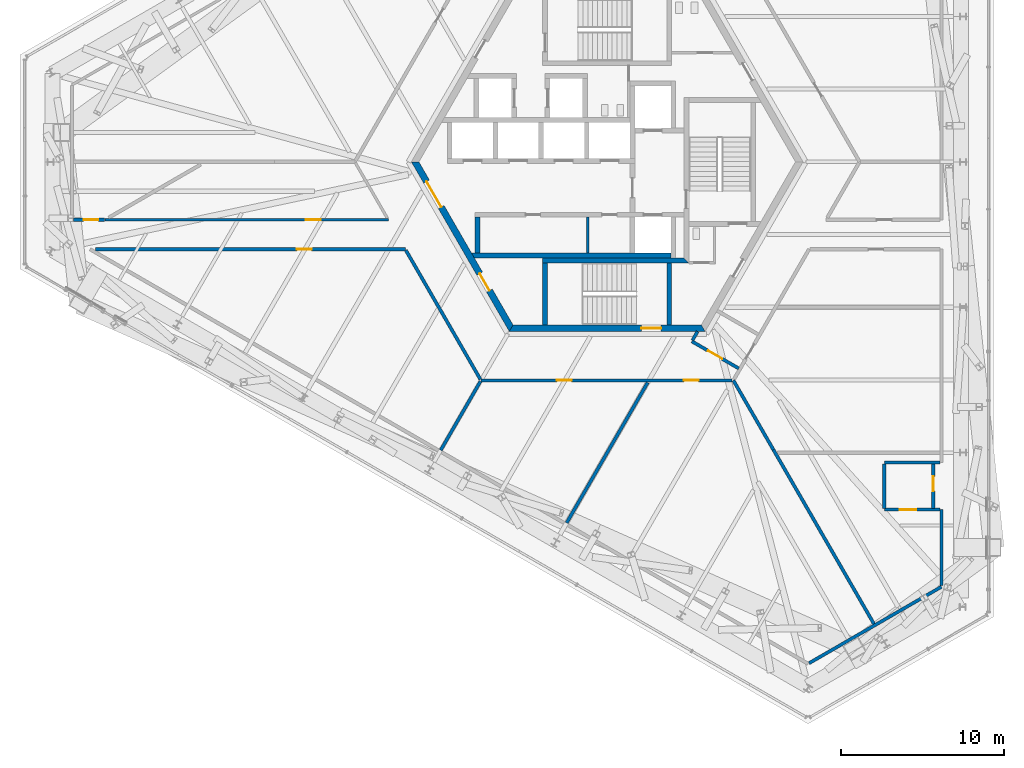
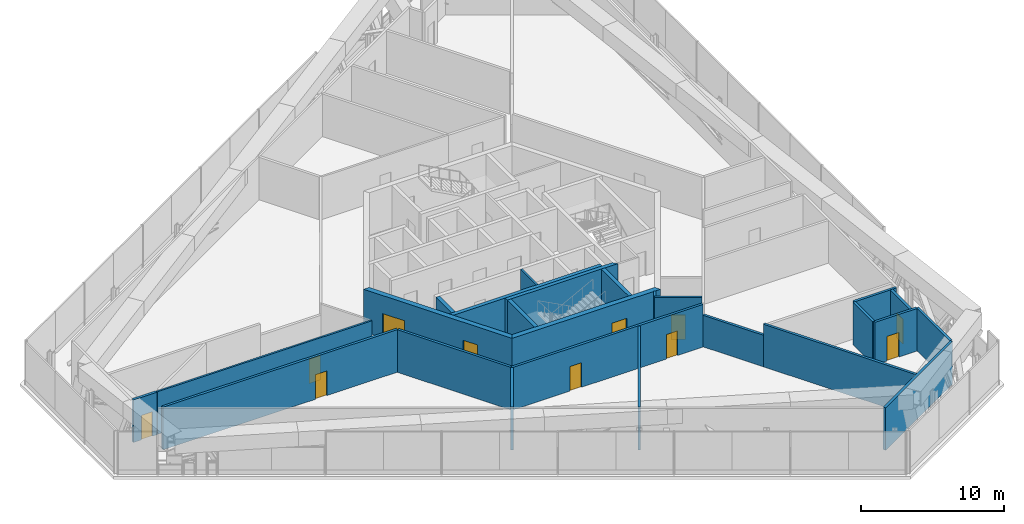
# One storey, part 14 of 23: 25 walls, 11 doors, 11 openings.
"""IFC4 building model written with IfcOpenShell, lengths in metres."""

from ifc_helpers import new_model, si_unit, direction, frame, frame_2d, origin, place, context, subcontext, project, spatial, polyline, rectangle, outline, extrude, source, transform, mapped, material, layer, layer_set, type_object, element, fill, save


model = new_model("IFC4")

# Units and contexts
model_context = context("Model", 3, precision=1e-05, world=origin(), true_north=direction((0.0, 1.0)))
body_context = subcontext(model_context, "Body", "Model", "MODEL_VIEW")
ifc_project = project(units=[si_unit("LENGTHUNIT", "METRE"), si_unit("AREAUNIT", "SQUARE_METRE"), si_unit("VOLUMEUNIT", "CUBIC_METRE"), si_unit("PLANEANGLEUNIT", "RADIAN"), si_unit("MASSUNIT", "GRAM", prefix="KILO")], contexts=[model_context])

# Site, building, storey
site_placement = place(None, origin())
site = spatial("IfcSite", under=ifc_project, at=site_placement, CompositionType="ELEMENT")
building_placement = place(site_placement, origin())
building = spatial("IfcBuilding", under=site, at=building_placement, Name="Triune Harvest Tower", CompositionType="ELEMENT")
storey_placement = place(building_placement, frame((0.0, 0.0, 54.699951171875)))
storey = spatial("IfcBuildingStorey", under=building, at=storey_placement, Name="L12", CompositionType="ELEMENT", Elevation=54.699951171875)

# Wall
ifc_material_1 = material(Name="Concrete masonry unit", Category="masonry")
ifc_layer_1 = layer(ifc_material_1, 0.14990234375)
ifc_layer_set_1 = layer_set([ifc_layer_1], Name="Concrete masonry unit")
wall_type_1 = type_object("IfcWallType", Name="Block partition 150", PredefinedType="PARTITIONING", material=ifc_layer_set_1)
wall_1_placement = place(storey_placement, frame((-1.199951171875, -5.590087890625, 0.0), z_axis=(0.0, 0.0, 1.0), x_axis=(0.0, 1.0, 0.0)))
element("IfcWall", 1, at=wall_1_placement, inside=storey, type_object=wall_type_1, Name="Row s part 1 wall", PredefinedType="PARTITIONING", context=body_context, shape_type="SweptSolid", body=[
    extrude(rectangle(XDim=2.2001953125, YDim=0.14990234375, at=frame_2d((1.10009765625, 0.0))), origin(), (0.0, 0.0, 1.0), 3.64013671875),
])

# Wall, opening, door
ifc_material_2 = material(Name="Gypsum board on steel studs", Category="steel")
ifc_layer_2 = layer(ifc_material_2, 0.14990234375)
ifc_layer_set_2 = layer_set([ifc_layer_2], Name="Gypsum board on steel studs")
wall_type_2 = type_object("IfcWallType", Name="Fire Partition 150 mm", PredefinedType="PARTITIONING", material=ifc_layer_set_2)
wall_2_placement = place(storey_placement, frame((-30.769775390625, -3.554931640625, 0.0), z_axis=(0.0, 0.0, 1.0), x_axis=(1.0, 0.0, 0.0)))
wall_2 = element("IfcWall", 2, at=wall_2_placement, inside=storey, type_object=wall_type_2, Name="Partition L12 023", PredefinedType="PARTITIONING", context=body_context, shape_type="SweptSolid", body=[
    extrude(rectangle(XDim=17.358154296875, YDim=0.14990234375, at=frame_2d((8.67919921875, 0.0))), origin(), (0.0, 0.0, 1.0), 3.64013671875),
])
opening_1_placement = place(wall_2_placement, frame((12.30810546875, 0.0, 0.0)))
opening_1 = element("IfcOpeningElement", 3, at=opening_1_placement, cuts=wall_2, Name="Opening L12-012", PredefinedType="OPENING", context=body_context, shape_type="SweptSolid", body=[
    extrude(rectangle(XDim=0.89990234375, YDim=2.10009765625, at=frame_2d((0.449951171875, 1.050048828125))), frame((0.0, 0.0849609375, 0.0), z_axis=(0.0, -1.0, 0.0), x_axis=(1.0, 0.0, 0.0)), (0.0, 0.0, 1.0), 0.169921875),
])
ifc_material_3 = material(Name="Timber and steel door set", Category="steel")
door_type_1 = type_object("IfcDoorType", Name="Single leaf door FD30 right hand 900 x 2100", OperationType="SINGLE_SWING_RIGHT", PredefinedType="DOOR", material=ifc_material_3)
door_1_placement = place(opening_1_placement, origin())
door_1 = element("IfcDoor", 4, at=door_1_placement, inside=storey, type_object=door_type_1, Name="Door L12-012 Dry Store Room 12.12", OperationType="SINGLE_SWING_RIGHT", OverallHeight=2.10009765625, OverallWidth=0.89990234375, PredefinedType="DOOR", context=body_context, shape_type="SweptSolid", body=[
    extrude(rectangle(XDim=0.89990234375, YDim=2.10009765625, at=frame_2d((0.449951171875, 1.050048828125))), frame((0.0, 0.02490234375, 0.0), z_axis=(0.0, -1.0, 0.0), x_axis=(1.0, 0.0, 0.0)), (0.0, 0.0, 1.0), 0.050048828125),
])
fill(opening_1, door_1)

# Walls
ifc_material_4 = material(Name="Gypsum board on steel studs", Category="steel")
ifc_layer_3 = layer(ifc_material_4, 0.199951171875)
ifc_layer_set_3 = layer_set([ifc_layer_3], Name="Gypsum board on steel studs")
wall_type_3 = type_object("IfcWallType", Name="Fire Wall 200 mm", PredefinedType="PARTITIONING", material=ifc_layer_set_3)
wall_3_placement = place(storey_placement, frame((-12.33740234375, -5.41552734375, 0.0), z_axis=(0.0, 0.0, 1.0), x_axis=(0.499988331988, -0.866032140209, 0.0)))
element("IfcWall", 5, at=wall_3_placement, inside=storey, type_object=wall_type_3, Name="Partition L12 002", PredefinedType="PARTITIONING", context=body_context, shape_type="SweptSolid", body=[
    extrude(rectangle(XDim=9.140869140625, YDim=0.199951171875, at=frame_2d((4.5703125, 0.0))), origin(), (0.0, 0.0, 1.0), 3.64013671875),
])
wall_4_placement = place(storey_placement, frame((7.732421875, -13.39208984375, 0.0), z_axis=(0.0, 0.0, 1.0), x_axis=(0.499999703803, -0.866025574794, 0.0)))
element("IfcWall", 6, at=wall_4_placement, inside=storey, type_object=wall_type_3, Name="Partition L12 004", PredefinedType="PARTITIONING", context=body_context, shape_type="SweptSolid", body=[
    extrude(rectangle(XDim=4.90380859375, YDim=0.199951171875, at=frame_2d((2.451904296875, 0.0))), origin(), (0.0, 0.0, 1.0), 2.69775390625),
])
wall_5_placement = place(storey_placement, frame((10.184326171875, -17.638916015625, 0.0), z_axis=(0.0, 0.0, 1.0), x_axis=(0.500007119777, -0.86602129314, 0.0)))
element("IfcWall", 7, at=wall_5_placement, inside=storey, type_object=wall_type_3, Name="Partition L12 004a", PredefinedType="PARTITIONING", context=body_context, shape_type="SweptSolid", body=[
    extrude(rectangle(XDim=12.422607421875, YDim=0.199951171875, at=frame_2d((6.21142578125, 0.0))), origin(), (0.0, 0.0, 1.0), 3.64013671875),
])

# Wall, opening, door
wall_6_placement = place(storey_placement, frame((-31.357421875, -5.35498046875, 0.0), z_axis=(0.0, 0.0, 1.0), x_axis=(1.0, 0.0, 0.0)))
wall_6 = element("IfcWall", 8, at=wall_6_placement, inside=storey, type_object=wall_type_3, Name="Partition L12 020", PredefinedType="PARTITIONING", context=body_context, shape_type="SweptSolid", body=[
    extrude(rectangle(XDim=18.985107421875, YDim=0.199951171875, at=frame_2d((9.49267578125, 0.0))), origin(), (0.0, 0.0, 1.0), 3.64013671875),
])
opening_2_placement = place(wall_6_placement, frame((12.339111328125, 0.0, 0.0)))
opening_2 = element("IfcOpeningElement", 9, at=opening_2_placement, cuts=wall_6, Name="Opening L12-013", PredefinedType="OPENING", context=body_context, shape_type="SweptSolid", body=[
    extrude(rectangle(XDim=0.89990234375, YDim=2.10009765625, at=frame_2d((0.449951171875, 1.050048828125))), frame((0.0, 0.10986328125, 0.0), z_axis=(0.0, -1.0, 0.0), x_axis=(1.0, 0.0, 0.0)), (0.0, 0.0, 1.0), 0.219970703125),
])
ifc_material_5 = material(Name="Timber and steel door set", Category="steel")
door_type_2 = type_object("IfcDoorType", Name="Single leaf door FD60 left hand 900 x 2100", OperationType="SINGLE_SWING_LEFT", PredefinedType="DOOR", material=ifc_material_5)
door_2_placement = place(opening_2_placement, origin())
door_2 = element("IfcDoor", 10, at=door_2_placement, inside=storey, type_object=door_type_2, Name="Door L12-013 Air Handling Plant Room 12.13", OperationType="SINGLE_SWING_LEFT", OverallHeight=2.10009765625, OverallWidth=0.89990234375, PredefinedType="DOOR", context=body_context, shape_type="SweptSolid", body=[
    extrude(rectangle(XDim=0.89990234375, YDim=2.10009765625, at=frame_2d((0.449951171875, 1.050048828125))), frame((0.0, 0.02490234375, 0.0), z_axis=(0.0, -1.0, 0.0), x_axis=(1.0, 0.0, 0.0)), (0.0, 0.0, 1.0), 0.050048828125),
])
fill(opening_2, door_2)

wall_7_placement = place(storey_placement, frame((-32.71044921875, -3.554931640625, 0.0), z_axis=(0.0, 0.0, 1.0), x_axis=(1.0, 0.0, 0.0)))
wall_7 = element("IfcWall", 11, at=wall_7_placement, inside=storey, type_object=wall_type_3, Name="Partition L12 022", PredefinedType="PARTITIONING", context=body_context, shape_type="SweptSolid", body=[
    extrude(rectangle(XDim=1.900634765625, YDim=0.199951171875, at=frame_2d((0.9501953125, 0.0))), origin(), (0.0, 0.0, 1.0), 3.64013671875),
])
opening_3_placement = place(wall_7_placement, frame((0.634765625, 0.0, 0.0)))
opening_3 = element("IfcOpeningElement", 12, at=opening_3_placement, cuts=wall_7, Name="Opening L12-011", PredefinedType="OPENING", context=body_context, shape_type="SweptSolid", body=[
    extrude(rectangle(XDim=0.89990234375, YDim=2.10009765625, at=frame_2d((0.449951171875, 1.050048828125))), frame((0.0, 0.10986328125, 0.0), z_axis=(0.0, -1.0, 0.0), x_axis=(1.0, 0.0, 0.0)), (0.0, 0.0, 1.0), 0.219970703125),
])
ifc_material_6 = material(Name="Timber and steel door set", Category="steel")
door_type_3 = type_object("IfcDoorType", Name="Single leaf door FD60 right hand 900 x 2100", OperationType="SINGLE_SWING_RIGHT", PredefinedType="DOOR", material=ifc_material_6)
door_3_placement = place(opening_3_placement, origin())
door_3 = element("IfcDoor", 13, at=door_3_placement, inside=storey, type_object=door_type_3, Name="Door L12-011 Electrical Plant Room 12.11", OperationType="SINGLE_SWING_RIGHT", OverallHeight=2.10009765625, OverallWidth=0.89990234375, PredefinedType="DOOR", context=body_context, shape_type="SweptSolid", body=[
    extrude(rectangle(XDim=0.89990234375, YDim=2.10009765625, at=frame_2d((0.449951171875, 1.050048828125))), frame((0.0, 0.02490234375, 0.0), z_axis=(0.0, -1.0, 0.0), x_axis=(1.0, 0.0, 0.0)), (0.0, 0.0, 1.0), 0.050048828125),
])
fill(opening_3, door_3)

# Walls
wall_8_placement = place(storey_placement, frame((12.369873046875, -30.721435546875, 0.0), z_axis=(0.0, 0.0, 1.0), x_axis=(0.866024109654, 0.500002241493, 0.0)))
element("IfcWall", 14, at=wall_8_placement, inside=storey, type_object=wall_type_3, Name="Partition L12 029", PredefinedType="PARTITIONING", context=body_context, shape_type="SweptSolid", body=[
    extrude(rectangle(XDim=9.3662109375, YDim=0.199951171875, at=frame_2d((4.68310546875, 0.0))), origin(), (0.0, 0.0, 1.0), 3.64013671875),
])
wall_9_placement = place(storey_placement, frame((-2.484375, -22.123046875, 0.0), z_axis=(0.0, 0.0, 1.0), x_axis=(0.499991285958, 0.866030434781, 0.0)))
element("IfcWall", 15, at=wall_9_placement, inside=storey, type_object=wall_type_3, Name="Partition L12 039", PredefinedType="PARTITIONING", context=body_context, shape_type="SweptSolid", body=[
    extrude(rectangle(XDim=9.931396484375, YDim=0.199951171875, at=frame_2d((4.9658203125, 0.0))), origin(), (0.0, 0.0, 1.0), 3.64013671875),
])
wall_10_placement = place(storey_placement, frame((-10.200439453125, -17.668212890625, 0.0), z_axis=(0.0, 0.0, 1.0), x_axis=(0.499980071345, 0.866036909293, 0.0)))
element("IfcWall", 16, at=wall_10_placement, inside=storey, type_object=wall_type_3, Name="Partition L12 040", PredefinedType="PARTITIONING", context=body_context, shape_type="SweptSolid", body=[
    extrude(rectangle(XDim=4.867431640625, YDim=0.199951171875, at=frame_2d((2.43359375, 0.0))), origin(), (0.0, 0.0, 1.0), 3.64013671875),
])
wall_11_placement = place(storey_placement, frame((20.4814453125, -25.96826171875, 0.0), z_axis=(0.0, 0.0, 1.0), x_axis=(0.0, 1.0, 0.0)))
element("IfcWall", 17, at=wall_11_placement, inside=storey, type_object=wall_type_3, Name="Partition L12 043", PredefinedType="PARTITIONING", context=body_context, shape_type="SweptSolid", body=[
    extrude(rectangle(XDim=4.658203125, YDim=0.199951171875, at=frame_2d((2.3291015625, 0.0))), origin(), (0.0, 0.0, 1.0), 3.64013671875),
])

# Wall, openings, doors
ifc_material_7 = material(Name="Concrete 70 MPa", Category="concrete")
ifc_layer_4 = layer(ifc_material_7, 0.39990234375)
ifc_layer_set_4 = layer_set([ifc_layer_4], Name="Concrete 70 MPa")
wall_type_4 = type_object("IfcWallType", Name="Core wall 400", PredefinedType="SHEAR", material=ifc_layer_set_4)
shared_shape_1 = source(origin(), body_context, "Body", "SweptSolid", [
    extrude(outline(polyline([(-0.115478515625, -0.199951171875), (11.884521484375, -0.199951171875), (11.653564453125, 0.199951171875), (0.115478515625, 0.199951171875), (-0.115478515625, -0.199951171875)])), origin(), (0.0, 0.0, 1.0), 3.64013671875),
])
wall_12_placement = place(storey_placement, frame((-11.76904296875, 0.0, 0.0), z_axis=(0.0, 0.0, 1.0), x_axis=(0.499996592174, -0.866027371285, 0.0)))
wall_12 = element("IfcWall", 18, at=wall_12_placement, inside=storey, type_object=wall_type_4, Name="Hexagon 3 wall", PredefinedType="SHEAR", context=body_context, shape_type="MappedRepresentation", body=[
    mapped(shared_shape_1, transform((0.0, 0.0, 0.0), scale=1.0)),
])
opening_4_placement = place(wall_12_placement, frame((1.404541015625, 0.0, 0.0)))
opening_4 = element("IfcOpeningElement", 19, at=opening_4_placement, cuts=wall_12, Name="Opening CD-LS", PredefinedType="OPENING", context=body_context, shape_type="SweptSolid", body=[
    extrude(rectangle(XDim=1.800048828125, YDim=2.10009765625, at=frame_2d((0.89990234375, 1.050048828125))), frame((0.0, 0.2099609375, 0.0), z_axis=(0.0, -1.0, 0.0), x_axis=(1.0, 0.0, 0.0)), (0.0, 0.0, 1.0), 0.419921875),
])
opening_5_placement = place(wall_12_placement, frame((7.91455078125, 0.0, 0.0)))
opening_5 = element("IfcOpeningElement", 20, at=opening_5_placement, cuts=wall_12, Name="Opening CD-SWP", PredefinedType="OPENING", context=body_context, shape_type="SweptSolid", body=[
    extrude(rectangle(XDim=1.199951171875, YDim=2.10009765625, at=frame_2d((0.60009765625, 1.050048828125))), frame((0.0, 0.2099609375, 0.0), z_axis=(0.0, -1.0, 0.0), x_axis=(1.0, 0.0, 0.0)), (0.0, 0.0, 1.0), 0.419921875),
])
ifc_material_8 = material(Name="Steel S235", Category="steel")
door_type_4 = type_object("IfcDoorType", Name="Lobby door 1800 FD120", OperationType="DOUBLE_DOOR_DOUBLE_SWING", PredefinedType="DOOR", material=ifc_material_8)
door_4_placement = place(opening_4_placement, frame((1.800048828125, 0.0, 0.0), z_axis=(0.0, 0.0, 1.0), x_axis=(-1.0, 0.0, 0.0)))
door_4 = element("IfcDoor", 21, at=door_4_placement, inside=storey, type_object=door_type_4, Name="Door CD-LS", OperationType="DOUBLE_DOOR_DOUBLE_SWING", OverallHeight=2.10009765625, OverallWidth=1.800048828125, PredefinedType="DOOR", context=body_context, shape_type="SweptSolid", body=[
    extrude(rectangle(XDim=1.800048828125, YDim=2.10009765625, at=frame_2d((0.89990234375, 1.050048828125))), frame((0.0, 0.02490234375, 0.0), z_axis=(0.0, -1.0, 0.0), x_axis=(1.0, 0.0, 0.0)), (0.0, 0.0, 1.0), 0.050048828125),
])
fill(opening_4, door_4)
ifc_material_9 = material(Name="Steel S235", Category="steel")
door_type_5 = type_object("IfcDoorType", Name="Service door 1200 FD120", OperationType="SINGLE_SWING_LEFT", PredefinedType="DOOR", material=ifc_material_9)
door_5_placement = place(opening_5_placement, frame((1.199951171875, 0.0, 0.0), z_axis=(0.0, 0.0, 1.0), x_axis=(-1.0, 0.0, 0.0)))
door_5 = element("IfcDoor", 22, at=door_5_placement, inside=storey, type_object=door_type_5, Name="Door CD-SWP", OperationType="SINGLE_SWING_RIGHT", OverallHeight=2.10009765625, OverallWidth=1.199951171875, PredefinedType="DOOR", context=body_context, shape_type="SweptSolid", body=[
    extrude(rectangle(XDim=1.199951171875, YDim=2.10009765625, at=frame_2d((0.60009765625, 1.050048828125))), frame((0.0, 0.02490234375, 0.0), z_axis=(0.0, -1.0, 0.0), x_axis=(1.0, 0.0, 0.0)), (0.0, 0.0, 1.0), 0.050048828125),
])
fill(opening_5, door_5)

# Wall, opening, door
wall_13_placement = place(storey_placement, frame((-5.884521484375, -10.1923828125, 0.0), z_axis=(0.0, 0.0, 1.0), x_axis=(1.0, 0.0, 0.0)))
wall_13 = element("IfcWall", 23, at=wall_13_placement, inside=storey, type_object=wall_type_4, Name="Hexagon 4 wall", PredefinedType="SHEAR", context=body_context, shape_type="MappedRepresentation", body=[
    mapped(shared_shape_1, transform((0.0, 0.0, 0.0), scale=1.0)),
])
opening_6_placement = place(wall_13_placement, frame((7.984619140625, 0.0, 0.0)))
opening_6 = element("IfcOpeningElement", 24, at=opening_6_placement, cuts=wall_13, Name="Opening CD-S2P", PredefinedType="OPENING", context=body_context, shape_type="SweptSolid", body=[
    extrude(rectangle(XDim=1.199951171875, YDim=2.10009765625, at=frame_2d((0.60009765625, 1.050048828125))), frame((0.0, 0.2099609375, 0.0), z_axis=(0.0, -1.0, 0.0), x_axis=(1.0, 0.0, 0.0)), (0.0, 0.0, 1.0), 0.419921875),
])
ifc_material_10 = material(Name="Steel S235", Category="steel")
door_type_6 = type_object("IfcDoorType", Name="Stair door 1200 FD120", OperationType="SINGLE_SWING_LEFT", PredefinedType="DOOR", material=ifc_material_10)
door_6_placement = place(opening_6_placement, frame((1.199951171875, 0.0, 0.0), z_axis=(0.0, 0.0, 1.0), x_axis=(-1.0, 0.0, 0.0)))
door_6 = element("IfcDoor", 25, at=door_6_placement, inside=storey, type_object=door_type_6, Name="Door CD-S2P", OperationType="SINGLE_SWING_RIGHT", OverallHeight=2.10009765625, OverallWidth=1.199951171875, PredefinedType="DOOR", context=body_context, shape_type="SweptSolid", body=[
    extrude(rectangle(XDim=1.199951171875, YDim=2.10009765625, at=frame_2d((0.60009765625, 1.050048828125))), frame((0.0, 0.02490234375, 0.0), z_axis=(0.0, -1.0, 0.0), x_axis=(1.0, 0.0, 0.0)), (0.0, 0.0, 1.0), 0.050048828125),
])
fill(opening_6, door_6)

# Walls
ifc_material_11 = material(Name="Concrete 70 MPa", Category="concrete")
ifc_layer_5 = layer(ifc_material_11, 0.300048828125)
ifc_layer_set_5 = layer_set([ifc_layer_5], Name="Concrete 70 MPa")
wall_type_5 = type_object("IfcWallType", Name="Core wall 300", PredefinedType="SHEAR", material=ifc_layer_set_5)
shared_shape_2 = source(origin(), body_context, "Body", "SweptSolid", [
    extrude(outline(polyline([(12.0, -0.14990234375), (-0.039794921875, -0.14990234375), (-0.212890625, 0.14990234375), (12.0, 0.14990234375), (12.0, -0.14990234375)])), origin(), (0.0, 0.0, 1.0), 3.64013671875),
])
wall_14_placement = place(storey_placement, frame((-8.10009765625, -5.739990234375, 0.0), z_axis=(0.0, 0.0, 1.0), x_axis=(1.0, 0.0, 0.0)))
element("IfcWall", 26, at=wall_14_placement, inside=storey, type_object=wall_type_5, Name="South back wall", PredefinedType="SHEAR", context=body_context, shape_type="MappedRepresentation", body=[
    mapped(shared_shape_2, transform((0.0, 0.0, 0.0), scale=1.0)),
])
shared_shape_3 = source(origin(), body_context, "Body", "SweptSolid", [
    extrude(rectangle(XDim=2.2001953125, YDim=0.300048828125, at=frame_2d((1.10009765625, 0.0))), origin(), (0.0, 0.0, 1.0), 3.64013671875),
])
wall_15_placement = place(storey_placement, frame((-7.949951171875, -5.590087890625, 0.0), z_axis=(0.0, 0.0, 1.0), x_axis=(0.0, 1.0, 0.0)))
element("IfcWall", 27, at=wall_15_placement, inside=storey, type_object=wall_type_5, Name="South end west wall", PredefinedType="SHEAR", context=body_context, shape_type="MappedRepresentation", body=[
    mapped(shared_shape_3, transform((0.0, 0.0, 0.0), scale=1.0)),
])
shared_shape_4 = source(origin(), body_context, "Body", "SweptSolid", [
    extrude(outline(polyline([(0.0, -0.14990234375), (8.949951171875, -0.14990234375), (8.64990234375, 0.14990234375), (0.0, 0.14990234375), (0.0, -0.14990234375)])), origin(), (0.0, 0.0, 1.0), 3.64013671875),
])
wall_16_placement = place(storey_placement, frame((-3.949951171875, -6.0400390625, 0.0), z_axis=(0.0, 0.0, 1.0), x_axis=(1.0, 0.0, 0.0)))
element("IfcWall", 28, at=wall_16_placement, inside=storey, type_object=wall_type_5, Name="Stair s north wall", PredefinedType="SHEAR", context=body_context, shape_type="MappedRepresentation", body=[
    mapped(shared_shape_4, transform((0.0, 0.0, 0.0), scale=1.0)),
])
shared_shape_5 = source(origin(), body_context, "Body", "SweptSolid", [
    extrude(outline(polyline([(3.800048828125, -0.14990234375), (-0.00439453125, -0.14990234375), (-0.00439453125, 0.14990234375), (3.800048828125, 0.14990234375), (3.800048828125, -0.14990234375)])), origin(), (0.0, 0.0, 1.0), 3.64013671875),
])
for number, where, z_axis, x_axis, name in (
    (29, (-3.800048828125, -9.989990234375, 0.0), (0.0, 0.0, 1.0), (0.0, 1.0, 0.0), "Stair s west wall"),
    (30, (3.800048828125, -9.989990234375, 0.0), (0.0, 0.0, 1.0), (0.0, 1.0, 0.0), "Stair s east wall"),
):
    element("IfcWall", number, at=place(storey_placement, frame(where, z_axis=z_axis, x_axis=x_axis)), inside=storey, type_object=wall_type_5, Name=name, PredefinedType="SHEAR", context=body_context, shape_type="MappedRepresentation", body=[
        mapped(shared_shape_5, transform((0.0, 0.0, 0.0), scale=1.0)),
    ])

# Wall, openings, doors
shared_shape_6 = source(origin(), body_context, "Body", "SweptSolid", [
    extrude(rectangle(XDim=15.394287109375, YDim=0.199951171875, at=frame_2d((7.697265625, 0.0))), origin(), (0.0, 0.0, 1.0), 3.64013671875),
])
wall_17_placement = place(storey_placement, frame((-7.732177734375, -13.392333984375, 0.0), z_axis=(0.0, 0.0, 1.0), x_axis=(1.0, 0.0, 0.0)))
wall_17 = element("IfcWall", 31, at=wall_17_placement, inside=storey, type_object=wall_type_3, Name="Partition L12 018", PredefinedType="PARTITIONING", context=body_context, shape_type="MappedRepresentation", body=[
    mapped(shared_shape_6, transform((0.0, 0.0, 0.0), scale=1.0)),
])
opening_7_placement = place(wall_17_placement, frame((4.650146484375, 0.0, 0.0)))
opening_7 = element("IfcOpeningElement", 32, at=opening_7_placement, cuts=wall_17, Name="Opening L12-014", PredefinedType="OPENING", context=body_context, shape_type="SweptSolid", body=[
    extrude(rectangle(XDim=0.89990234375, YDim=2.10009765625, at=frame_2d((0.449951171875, 1.050048828125))), frame((0.0, 0.10986328125, 0.0), z_axis=(0.0, -1.0, 0.0), x_axis=(1.0, 0.0, 0.0)), (0.0, 0.0, 1.0), 0.219970703125),
])
opening_8_placement = place(wall_17_placement, frame((12.4384765625, 0.0, 0.0)))
opening_8 = element("IfcOpeningElement", 33, at=opening_8_placement, cuts=wall_17, Name="Opening L12-015", PredefinedType="OPENING", context=body_context, shape_type="SweptSolid", body=[
    extrude(rectangle(XDim=0.89990234375, YDim=2.10009765625, at=frame_2d((0.449951171875, 1.050048828125))), frame((0.0, 0.10986328125, 0.0), z_axis=(0.0, -1.0, 0.0), x_axis=(1.0, 0.0, 0.0)), (0.0, 0.0, 1.0), 0.219970703125),
])
door_7_placement = place(opening_8_placement, origin())
door_7 = element("IfcDoor", 34, at=door_7_placement, inside=storey, type_object=door_type_2, Name="Door L12-015 Fire Pump Room 12.15", OperationType="SINGLE_SWING_LEFT", OverallHeight=2.10009765625, OverallWidth=0.89990234375, PredefinedType="DOOR", context=body_context, shape_type="SweptSolid", body=[
    extrude(rectangle(XDim=0.89990234375, YDim=2.10009765625, at=frame_2d((0.449951171875, 1.050048828125))), frame((0.0, 0.02490234375, 0.0), z_axis=(0.0, -1.0, 0.0), x_axis=(1.0, 0.0, 0.0)), (0.0, 0.0, 1.0), 0.050048828125),
])
fill(opening_8, door_7)
door_8_placement = place(opening_7_placement, origin())
door_8 = element("IfcDoor", 35, at=door_8_placement, inside=storey, type_object=door_type_3, Name="Door L12-014 Stair Pressurisation Fan Room 12.14", OperationType="SINGLE_SWING_RIGHT", OverallHeight=2.10009765625, OverallWidth=0.89990234375, PredefinedType="DOOR", context=body_context, shape_type="SweptSolid", body=[
    extrude(rectangle(XDim=0.89990234375, YDim=2.10009765625, at=frame_2d((0.449951171875, 1.050048828125))), frame((0.0, 0.02490234375, 0.0), z_axis=(0.0, -1.0, 0.0), x_axis=(1.0, 0.0, 0.0)), (0.0, 0.0, 1.0), 0.050048828125),
])
fill(opening_7, door_8)

# Wall, opening, door
shared_shape_7 = source(origin(), body_context, "Body", "SweptSolid", [
    extrude(rectangle(XDim=3.320068359375, YDim=0.199951171875, at=frame_2d((1.66015625, 0.0))), origin(), (0.0, 0.0, 1.0), 3.64013671875),
])
wall_18_placement = place(storey_placement, frame((5.1875, -10.99951171875, 0.0), z_axis=(0.0, 0.0, 1.0), x_axis=(0.866039863636, -0.499974953966, 0.0)))
wall_18 = element("IfcWall", 36, at=wall_18_placement, inside=storey, type_object=wall_type_3, Name="Partition L12 012", PredefinedType="PARTITIONING", context=body_context, shape_type="MappedRepresentation", body=[
    mapped(shared_shape_7, transform((0.0, 0.0, 0.0), scale=1.0)),
])
opening_9_placement = place(wall_18_placement, frame((1.14990234375, 0.0, 0.0)))
opening_9 = element("IfcOpeningElement", 37, at=opening_9_placement, cuts=wall_18, Name="Opening L12-017", PredefinedType="OPENING", context=body_context, shape_type="SweptSolid", body=[
    extrude(rectangle(XDim=1.0, YDim=2.10009765625, at=frame_2d((0.5, 1.050048828125))), frame((0.0, 0.10986328125, 0.0), z_axis=(0.0, -1.0, 0.0), x_axis=(1.0, 0.0, 0.0)), (0.0, 0.0, 1.0), 0.219970703125),
])
ifc_material_12 = material(Name="Timber and steel door set", Category="steel")
door_type_7 = type_object("IfcDoorType", Name="Wide single leaf door FD60 left hand 1000 x 2100", OperationType="SINGLE_SWING_LEFT", PredefinedType="DOOR", material=ifc_material_12)
door_9_placement = place(opening_9_placement, origin())
door_9 = element("IfcDoor", 38, at=door_9_placement, inside=storey, type_object=door_type_7, Name="Door L12-017 Refuge Lobby 12.17", OperationType="SINGLE_SWING_LEFT", OverallHeight=2.10009765625, OverallWidth=1.0, PredefinedType="DOOR", context=body_context, shape_type="SweptSolid", body=[
    extrude(rectangle(XDim=1.0, YDim=2.10009765625, at=frame_2d((0.5, 1.050048828125))), frame((0.0, 0.02490234375, 0.0), z_axis=(0.0, -1.0, 0.0), x_axis=(1.0, 0.0, 0.0)), (0.0, 0.0, 1.0), 0.050048828125),
])
fill(opening_9, door_9)

shared_shape_8 = source(origin(), body_context, "Body", "SweptSolid", [
    extrude(rectangle(XDim=3.419921875, YDim=0.199951171875, at=frame_2d((1.7099609375, 0.0))), origin(), (0.0, 0.0, 1.0), 3.64013671875),
])
wall_19_placement = place(storey_placement, frame((16.9814453125, -21.31005859375, 0.0), z_axis=(0.0, 0.0, 1.0), x_axis=(1.0, 0.0, 0.0)))
wall_19 = element("IfcWall", 39, at=wall_19_placement, inside=storey, type_object=wall_type_3, Name="Partition L12 015", PredefinedType="PARTITIONING", context=body_context, shape_type="MappedRepresentation", body=[
    mapped(shared_shape_8, transform((0.0, 0.0, 0.0), scale=1.0)),
])
opening_10_placement = place(wall_19_placement, frame((0.949951171875, 0.0, 0.0)))
opening_10 = element("IfcOpeningElement", 40, at=opening_10_placement, cuts=wall_19, Name="Opening L12-001", PredefinedType="OPENING", context=body_context, shape_type="SweptSolid", body=[
    extrude(rectangle(XDim=1.0, YDim=2.10009765625, at=frame_2d((0.5, 1.050048828125))), frame((0.0, 0.10986328125, 0.0), z_axis=(0.0, -1.0, 0.0), x_axis=(1.0, 0.0, 0.0)), (0.0, 0.0, 1.0), 0.219970703125),
])
ifc_material_13 = material(Name="Timber and steel door set", Category="steel")
door_type_8 = type_object("IfcDoorType", Name="Wide single leaf door FD60 right hand 1000 x 2100", OperationType="SINGLE_SWING_RIGHT", PredefinedType="DOOR", material=ifc_material_13)
door_10_placement = place(opening_10_placement, origin())
door_10 = element("IfcDoor", 41, at=door_10_placement, inside=storey, type_object=door_type_8, Name="Door L12-001 Refuge Area 12.01", OperationType="SINGLE_SWING_RIGHT", OverallHeight=2.10009765625, OverallWidth=1.0, PredefinedType="DOOR", context=body_context, shape_type="SweptSolid", body=[
    extrude(rectangle(XDim=1.0, YDim=2.10009765625, at=frame_2d((0.5, 1.050048828125))), frame((0.0, 0.02490234375, 0.0), z_axis=(0.0, -1.0, 0.0), x_axis=(1.0, 0.0, 0.0)), (0.0, 0.0, 1.0), 0.050048828125),
])
fill(opening_10, door_10)

# Walls
wall_20_placement = place(storey_placement, frame((16.9814453125, -18.419921875, 0.0), z_axis=(0.0, 0.0, 1.0), x_axis=(1.0, 0.0, 0.0)))
element("IfcWall", 42, at=wall_20_placement, inside=storey, type_object=wall_type_3, Name="Partition L12 016", PredefinedType="PARTITIONING", context=body_context, shape_type="MappedRepresentation", body=[
    mapped(shared_shape_8, transform((0.0, 0.0, 0.0), scale=1.0)),
])
shared_shape_9 = source(origin(), body_context, "Body", "SweptSolid", [
    extrude(rectangle(XDim=0.62109375, YDim=0.199951171875, at=frame_2d((0.310546875, 0.0))), origin(), (0.0, 0.0, 1.0), 3.64013671875),
])
wall_21_placement = place(storey_placement, frame((5.2275390625, -10.93017578125, 0.0), z_axis=(0.0, 0.0, 1.0), x_axis=(0.500028703312, 0.866008831286, 0.0)))
element("IfcWall", 43, at=wall_21_placement, inside=storey, type_object=wall_type_3, Name="Partition L12 038", PredefinedType="PARTITIONING", context=body_context, shape_type="MappedRepresentation", body=[
    mapped(shared_shape_9, transform((0.0, 0.0, 0.0), scale=1.0)),
])

# Wall, opening, door
shared_shape_10 = source(origin(), body_context, "Body", "SweptSolid", [
    extrude(rectangle(XDim=2.72998046875, YDim=0.199951171875, at=frame_2d((1.364990234375, 0.0))), origin(), (0.0, 0.0, 1.0), 3.64013671875),
])
wall_22_placement = place(storey_placement, frame((19.9814453125, -21.22998046875, 0.0), z_axis=(0.0, 0.0, 1.0), x_axis=(0.0, 1.0, 0.0)))
wall_22 = element("IfcWall", 44, at=wall_22_placement, inside=storey, type_object=wall_type_3, Name="Partition L12 046", PredefinedType="PARTITIONING", context=body_context, shape_type="MappedRepresentation", body=[
    mapped(shared_shape_10, transform((0.0, 0.0, 0.0), scale=1.0)),
])
opening_11_placement = place(wall_22_placement, frame((1.06005859375, 0.0, 0.0)))
opening_11 = element("IfcOpeningElement", 45, at=opening_11_placement, cuts=wall_22, Name="Opening L12-016", PredefinedType="OPENING", context=body_context, shape_type="SweptSolid", body=[
    extrude(rectangle(XDim=0.89990234375, YDim=2.10009765625, at=frame_2d((0.449951171875, 1.050048828125))), frame((0.0, 0.10986328125, 0.0), z_axis=(0.0, -1.0, 0.0), x_axis=(1.0, 0.0, 0.0)), (0.0, 0.0, 1.0), 0.219970703125),
])
door_11_placement = place(opening_11_placement, origin())
door_11 = element("IfcDoor", 46, at=door_11_placement, inside=storey, type_object=door_type_3, Name="Door L12-016 Refuge Lobby 12.16", OperationType="SINGLE_SWING_RIGHT", OverallHeight=2.10009765625, OverallWidth=0.89990234375, PredefinedType="DOOR", context=body_context, shape_type="SweptSolid", body=[
    extrude(rectangle(XDim=0.89990234375, YDim=2.10009765625, at=frame_2d((0.449951171875, 1.050048828125))), frame((0.0, 0.02490234375, 0.0), z_axis=(0.0, -1.0, 0.0), x_axis=(1.0, 0.0, 0.0)), (0.0, 0.0, 1.0), 0.050048828125),
])
fill(opening_11, door_11)

# Wall
wall_23_placement = place(storey_placement, frame((16.9814453125, -21.22998046875, 0.0), z_axis=(0.0, 0.0, 1.0), x_axis=(0.0, 1.0, 0.0)))
element("IfcWall", 47, at=wall_23_placement, inside=storey, type_object=wall_type_3, Name="Partition L12 047", PredefinedType="PARTITIONING", context=body_context, shape_type="MappedRepresentation", body=[
    mapped(shared_shape_10, transform((0.0, 0.0, 0.0), scale=1.0)),
])

save(model, "model.ifc")
